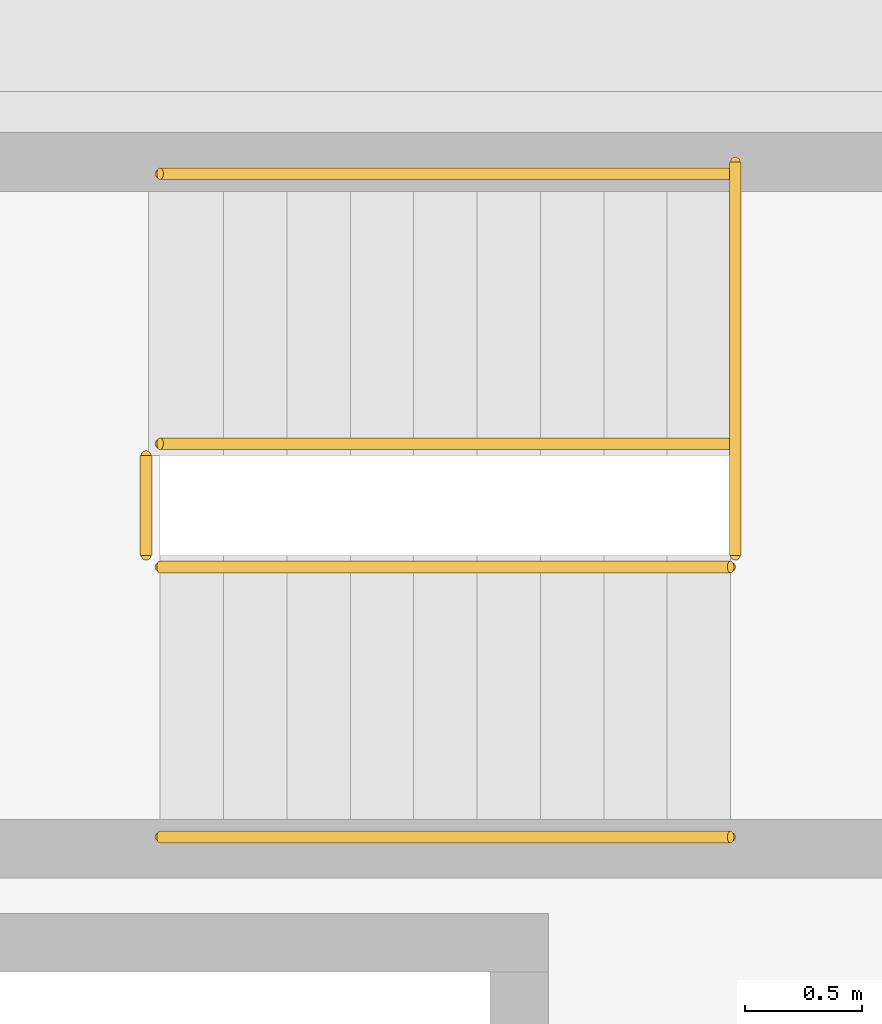
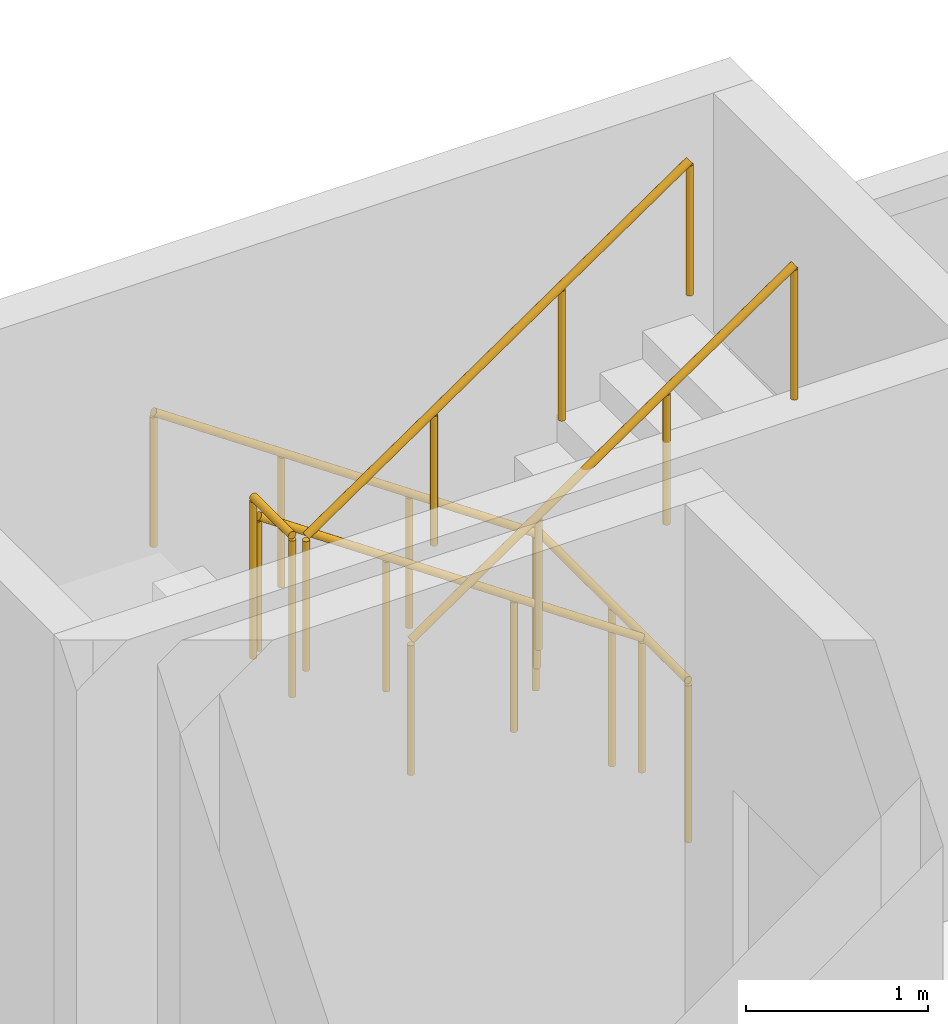
# One storey, part 45 of 57: 6 railings.
"""IFC4 building model written with IfcOpenShell, lengths in metres."""

from ifc_helpers import new_model, si_unit, direction, frame, origin, origin_2d, place, context, subcontext, project, spatial, circle, extrude, material, type_object, element, save


model = new_model("IFC4")

# Units and contexts
model_context = context("Model", 3, precision=1e-05, world=origin(), true_north=direction((0.0, 1.0)))
body_context = subcontext(model_context, "Body", "Model", "MODEL_VIEW")
ifc_project = project(units=[si_unit("LENGTHUNIT", "METRE"), si_unit("AREAUNIT", "SQUARE_METRE"), si_unit("VOLUMEUNIT", "CUBIC_METRE"), si_unit("PLANEANGLEUNIT", "RADIAN"), si_unit("MASSUNIT", "GRAM", prefix="KILO")], contexts=[model_context])

# Site, building, storey
site_placement = place(None, origin())
site = spatial("IfcSite", under=ifc_project, at=site_placement, CompositionType="ELEMENT")
building_placement = place(site_placement, origin())
building = spatial("IfcBuilding", under=site, at=building_placement, Name="Cour d'Honneur Mobility Palace", CompositionType="ELEMENT")
storey_placement = place(building_placement, frame((0.0, 0.0, 8.199951171875)))
storey = spatial("IfcBuildingStorey", under=building, at=storey_placement, Name="L02", CompositionType="ELEMENT", Elevation=8.199951171875)

# Railings
ifc_material_1 = material(Name="Painted steel", Category="steel")
railing_type_1 = type_object("IfcRailingType", Name="Guardrail 1100", PredefinedType="GUARDRAIL", material=ifc_material_1)
railing_1_placement = place(storey_placement, frame((5.1201171875, 112.64990234375, 0.0)))
element("IfcRailing", 1, at=railing_1_placement, inside=storey, type_object=railing_type_1, Name="Guard ST-NW1", PredefinedType="GUARDRAIL", context=body_context, shape_type="SweptSolid", body=[
    extrude(circle(Radius=0.02490234375, at=origin_2d()), frame((0.0, 0.0, 1.0751953125), z_axis=(0.0, 1.0, 0.0), x_axis=(-1.0, 0.0, 0.0)), (0.0, 0.0, 1.0), 1.675048828125),
    extrude(circle(Radius=0.02099609375, at=origin_2d()), origin(), (0.0, 0.0, 1.0), 1.050048828125),
    extrude(circle(Radius=0.02099609375, at=origin_2d()), frame((0.0, 0.83740234375, 0.0)), (0.0, 0.0, 1.0), 1.050048828125),
    extrude(circle(Radius=0.02099609375, at=origin_2d()), frame((0.0, 1.675048828125, 0.0)), (0.0, 0.0, 1.0), 1.050048828125),
])
railing_2_placement = place(storey_placement, frame((2.610107421875, 112.64990234375, 1.85009765625)))
element("IfcRailing", 2, at=railing_2_placement, inside=storey, type_object=railing_type_1, Name="Landing guard ST-NW1", PredefinedType="GUARDRAIL", context=body_context, shape_type="SweptSolid", body=[
    extrude(circle(Radius=0.02490234375, at=origin_2d()), frame((0.0, 0.0, 1.0751953125), z_axis=(0.0, 1.0, 0.0), x_axis=(-1.0, 0.0, 0.0)), (0.0, 0.0, 1.0), 0.425048828125),
    extrude(circle(Radius=0.02099609375, at=origin_2d()), origin(), (0.0, 0.0, 1.0), 1.050048828125),
    extrude(circle(Radius=0.02099609375, at=origin_2d()), frame((0.0, 0.425048828125, 0.0)), (0.0, 0.0, 1.0), 1.050048828125),
])
ifc_material_2 = material(Name="Stainless steel", Category="steel")
railing_type_2 = type_object("IfcRailingType", Name="Handrail round 50", PredefinedType="HANDRAIL", material=ifc_material_2)
for number, where, name in (
    (3, (5.10009765625, 114.27490234375, 0.18505859375), "Handrail ST-NW1"),
    (4, (5.10009765625, 113.125, 0.18505859375), "Handrail ST-NW1"),
):
    element("IfcRailing", number, at=place(storey_placement, frame(where)), inside=storey, type_object=railing_type_2, Name=name, PredefinedType="HANDRAIL", context=body_context, shape_type="SweptSolid", body=[
        extrude(circle(Radius=0.02490234375, at=origin_2d()), frame((0.0, 0.0, 0.89501953125), z_axis=(-0.824945253146, 0.0, 0.565212640793), x_axis=(0.0, -1.0, 0.0)), (0.0, 0.0, 1.0), 2.94580078125),
        extrude(circle(Radius=0.02099609375, at=origin_2d()), origin(), (0.0, 0.0, 1.0), 0.869873046875),
        extrude(circle(Radius=0.02099609375, at=origin_2d()), frame((-0.81005859375, 0.0, 0.554931640625)), (0.0, 0.0, 1.0), 0.869873046875),
        extrude(circle(Radius=0.02099609375, at=origin_2d()), frame((-1.6201171875, 0.0, 1.110107421875)), (0.0, 0.0, 1.0), 0.869873046875),
        extrude(circle(Radius=0.02099609375, at=origin_2d()), frame((-2.43017578125, 0.0, 1.6650390625)), (0.0, 0.0, 1.0), 0.869873046875),
    ])
for number, where, name in (
    (5, (2.669921875, 112.60009765625, 2.03515625), "Handrail ST-NW1"),
    (6, (2.669921875, 111.449951171875, 2.03515625), "Handrail ST-NW1"),
):
    element("IfcRailing", number, at=place(storey_placement, frame(where)), inside=storey, type_object=railing_type_2, Name=name, PredefinedType="HANDRAIL", context=body_context, shape_type="SweptSolid", body=[
        extrude(circle(Radius=0.02490234375, at=origin_2d()), frame((0.0, 0.0, 0.89501953125), z_axis=(0.824983895463, 0.0, 0.565156237006), x_axis=(0.0, 1.0, 0.0)), (0.0, 0.0, 1.0), 2.94580078125),
        extrude(circle(Radius=0.02099609375, at=origin_2d()), origin(), (0.0, 0.0, 1.0), 0.869873046875),
        extrude(circle(Radius=0.02099609375, at=origin_2d()), frame((0.81005859375, 0.0, 0.554931640625)), (0.0, 0.0, 1.0), 0.869873046875),
        extrude(circle(Radius=0.02099609375, at=origin_2d()), frame((1.6201171875, 0.0, 1.10986328125)), (0.0, 0.0, 1.0), 0.869873046875),
        extrude(circle(Radius=0.02099609375, at=origin_2d()), frame((2.43017578125, 0.0, 1.664794921875)), (0.0, 0.0, 1.0), 0.869873046875),
    ])

save(model, "model.ifc")
